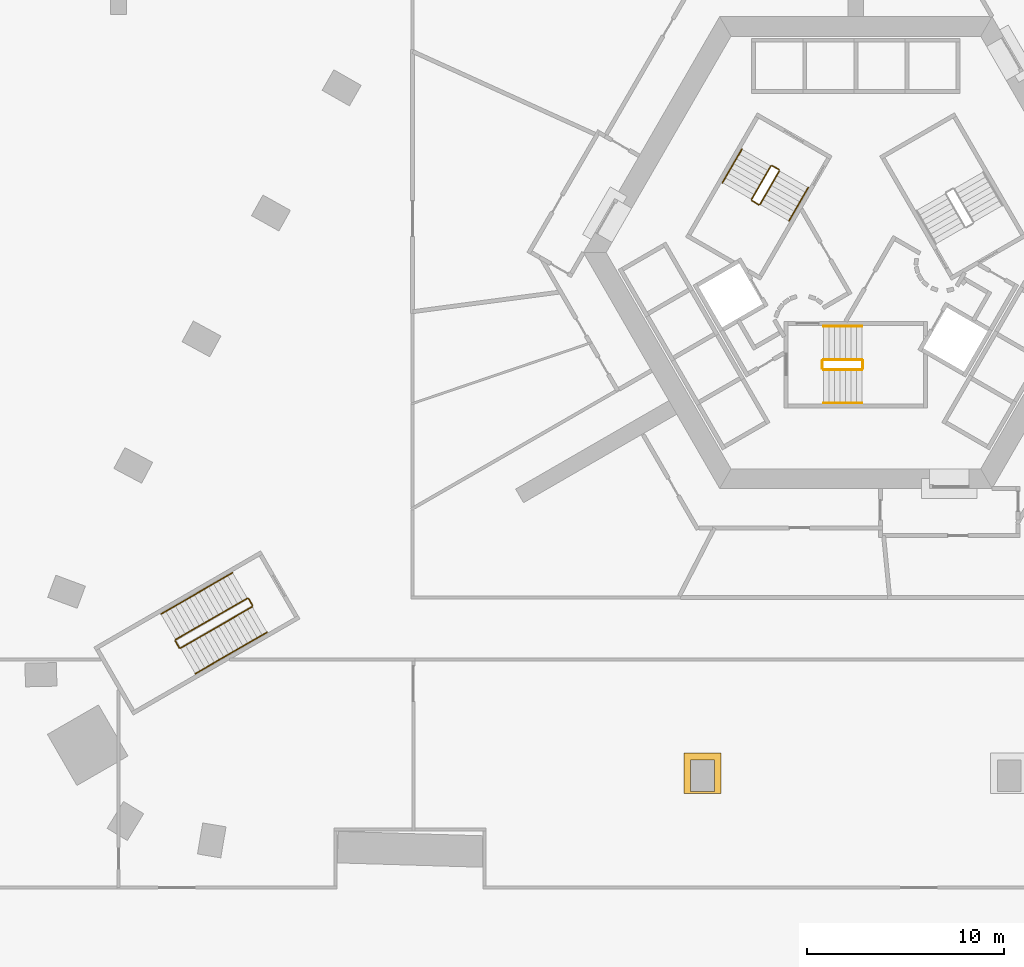
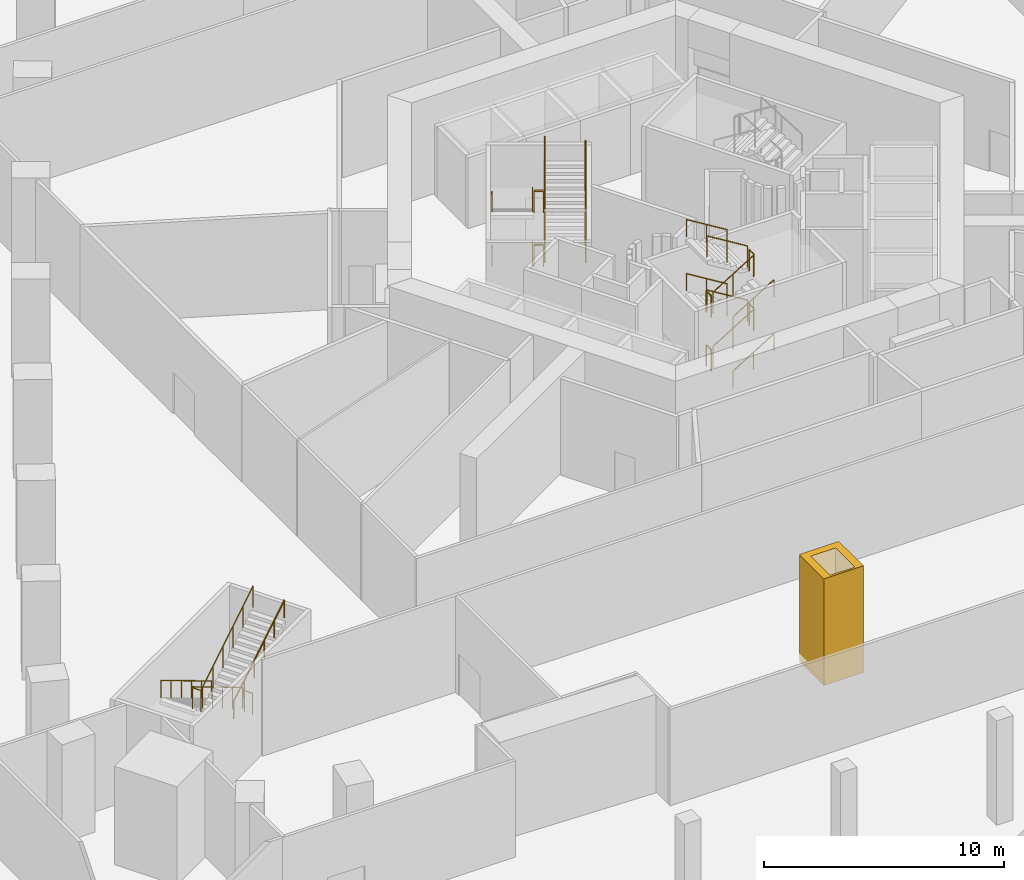
# One storey, part 17 of 20: 30 railings, 1 covering.
"""IFC4 building model written with IfcOpenShell, lengths in metres."""

from ifc_helpers import new_model, si_unit, direction, frame, origin, origin_2d, place, context, subcontext, project, spatial, polyline, circle, outline, extrude, material, type_object, element, save


model = new_model("IFC4")

# Units and contexts
model_context = context("Model", 3, precision=1e-05, world=origin(), true_north=direction((0.0, 1.0)))
body_context = subcontext(model_context, "Body", "Model", "MODEL_VIEW")
ifc_project = project(units=[si_unit("LENGTHUNIT", "METRE"), si_unit("AREAUNIT", "SQUARE_METRE"), si_unit("VOLUMEUNIT", "CUBIC_METRE"), si_unit("PLANEANGLEUNIT", "RADIAN"), si_unit("MASSUNIT", "GRAM", prefix="KILO")], contexts=[model_context])

# Site, building, storey
site_placement = place(None, origin())
site = spatial("IfcSite", under=ifc_project, at=site_placement, CompositionType="ELEMENT")
building_placement = place(site_placement, origin())
building = spatial("IfcBuilding", under=site, at=building_placement, Name="Entoto Arch Interchange Tower", CompositionType="ELEMENT")
storey_placement = place(building_placement, frame((0.0, 0.0, -5.5)))
storey = spatial("IfcBuildingStorey", under=building, at=storey_placement, Name="B1", CompositionType="ELEMENT", Elevation=-5.5)

# Covering
ifc_material_1 = material(Name="Board-marked precast concrete C50/60", Category="concrete")
covering_type = type_object("IfcCoveringType", Name="PRECAST FRAME COURSE", PredefinedType="CLADDING", material=ifc_material_1)
covering_placement = place(storey_placement, frame((0.0, 0.0, -0.419921875)))
element("IfcCovering", 1, at=covering_placement, inside=storey, type_object=covering_type, Name="Gate pier B1", PredefinedType="CLADDING", context=body_context, shape_type="SweptSolid", body=[
    extrude(outline(polyline([(-8.75, -22.949951171875), (-6.85009765625, -22.949951171875), (-6.85009765625, -24.9990234375), (-8.75, -24.9990234375), (-8.75, -22.949951171875)]), holes=[polyline([(-8.39990234375, -23.300048828125), (-8.39990234375, -24.89990234375), (-7.199951171875, -24.89990234375), (-7.199951171875, -23.300048828125), (-8.39990234375, -23.300048828125)])]), origin(), (0.0, 0.0, 1.0), 5.419921875),
])

# Railings
ifc_material_2 = material(Name="Stainless steel 1.4301", Category="steel")
railing_type_1 = type_object("IfcRailingType", Name="STAIR GUARD 1100 STEEL", PredefinedType="GUARDRAIL", material=ifc_material_2)
railing_1_placement = place(storey_placement, frame((-1.64990234375, -3.449951171875, 0.171875)))
element("IfcRailing", 2, at=railing_1_placement, inside=storey, type_object=railing_type_1, Name="B1 ST-S stair guard 1", PredefinedType="GUARDRAIL", context=body_context, shape_type="SweptSolid", body=[
    extrude(circle(Radius=0.02392578125, at=origin_2d()), frame((0.0, 0.0, 1.076171875), z_axis=(0.852240978134, 0.0, 0.523149419562), x_axis=(0.0, 1.0, 0.0)), (0.0, 0.0, 1.0), 2.2998046875),
    extrude(circle(Radius=0.02099609375, at=origin_2d()), origin(), (0.0, 0.0, 1.0), 1.052001953125),
    extrude(circle(Radius=0.02099609375, at=origin_2d()), frame((0.97998046875, 0.0, 0.6015625)), (0.0, 0.0, 1.0), 1.052001953125),
    extrude(circle(Radius=0.02099609375, at=origin_2d()), frame((1.9599609375, 0.0, 1.203125)), (0.0, 0.0, 1.0), 1.052001953125),
])
railing_2_placement = place(storey_placement, frame((0.360107421875, -3.39990234375, 1.375)))
element("IfcRailing", 3, at=railing_2_placement, inside=storey, type_object=railing_type_1, Name="B1 ST-S stair guard 2", PredefinedType="GUARDRAIL", context=body_context, shape_type="SweptSolid", body=[
    extrude(circle(Radius=0.02392578125, at=origin_2d()), frame((0.0, 0.0, 1.076171875), z_axis=(0.0, 1.0, 0.0), x_axis=(-1.0, 0.0, 0.0)), (0.0, 0.0, 1.0), 0.39990234375),
    extrude(circle(Radius=0.02099609375, at=origin_2d()), origin(), (0.0, 0.0, 1.0), 1.052001953125),
    extrude(circle(Radius=0.02099609375, at=origin_2d()), frame((0.0, 0.39990234375, 0.0)), (0.0, 0.0, 1.0), 1.052001953125),
])
railing_3_placement = place(storey_placement, frame((0.31005859375, -2.949951171875, 1.546875)))
element("IfcRailing", 4, at=railing_3_placement, inside=storey, type_object=railing_type_1, Name="B1 ST-S stair guard 3", PredefinedType="GUARDRAIL", context=body_context, shape_type="SweptSolid", body=[
    extrude(circle(Radius=0.02392578125, at=origin_2d()), frame((0.0, 0.0, 1.076171875), z_axis=(-0.852240978134, 0.0, 0.523149419562), x_axis=(0.0, -1.0, 0.0)), (0.0, 0.0, 1.0), 2.2998046875),
    extrude(circle(Radius=0.02099609375, at=origin_2d()), origin(), (0.0, 0.0, 1.0), 1.052001953125),
    extrude(circle(Radius=0.02099609375, at=origin_2d()), frame((-0.97998046875, 0.0, 0.6015625)), (0.0, 0.0, 1.0), 1.052001953125),
    extrude(circle(Radius=0.02099609375, at=origin_2d()), frame((-1.9599609375, 0.0, 1.203125)), (0.0, 0.0, 1.0), 1.052001953125),
])
railing_4_placement = place(storey_placement, frame((-1.699951171875, -3.39990234375, 2.75)))
element("IfcRailing", 5, at=railing_4_placement, inside=storey, type_object=railing_type_1, Name="B1 ST-S stair guard 4", PredefinedType="GUARDRAIL", context=body_context, shape_type="SweptSolid", body=[
    extrude(circle(Radius=0.02392578125, at=origin_2d()), frame((0.0, 0.0, 1.076171875), z_axis=(0.0, 1.0, 0.0), x_axis=(-1.0, 0.0, 0.0)), (0.0, 0.0, 1.0), 0.39990234375),
    extrude(circle(Radius=0.02099609375, at=origin_2d()), origin(), (0.0, 0.0, 1.0), 1.052001953125),
    extrude(circle(Radius=0.02099609375, at=origin_2d()), frame((0.0, 0.39990234375, 0.0)), (0.0, 0.0, 1.0), 1.052001953125),
])
railing_5_placement = place(storey_placement, frame((-1.64990234375, -3.449951171875, 2.921875)))
element("IfcRailing", 6, at=railing_5_placement, inside=storey, type_object=railing_type_1, Name="B1 ST-S stair guard 5", PredefinedType="GUARDRAIL", context=body_context, shape_type="SweptSolid", body=[
    extrude(circle(Radius=0.02392578125, at=origin_2d()), frame((0.0, 0.0, 1.076171875), z_axis=(0.852240978134, 0.0, 0.523149419562), x_axis=(0.0, 1.0, 0.0)), (0.0, 0.0, 1.0), 2.2998046875),
    extrude(circle(Radius=0.02099609375, at=origin_2d()), origin(), (0.0, 0.0, 1.0), 1.052001953125),
    extrude(circle(Radius=0.02099609375, at=origin_2d()), frame((0.97998046875, 0.0, 0.6015625)), (0.0, 0.0, 1.0), 1.052001953125),
    extrude(circle(Radius=0.02099609375, at=origin_2d()), frame((1.9599609375, 0.0, 1.203125)), (0.0, 0.0, 1.0), 1.052001953125),
])
railing_6_placement = place(storey_placement, frame((0.360107421875, -3.39990234375, 4.125)))
element("IfcRailing", 7, at=railing_6_placement, inside=storey, type_object=railing_type_1, Name="B1 ST-S stair guard 6", PredefinedType="GUARDRAIL", context=body_context, shape_type="SweptSolid", body=[
    extrude(circle(Radius=0.02392578125, at=origin_2d()), frame((0.0, 0.0, 1.076171875), z_axis=(0.0, 1.0, 0.0), x_axis=(-1.0, 0.0, 0.0)), (0.0, 0.0, 1.0), 0.39990234375),
    extrude(circle(Radius=0.02099609375, at=origin_2d()), origin(), (0.0, 0.0, 1.0), 1.052001953125),
    extrude(circle(Radius=0.02099609375, at=origin_2d()), frame((0.0, 0.39990234375, 0.0)), (0.0, 0.0, 1.0), 1.052001953125),
])
railing_7_placement = place(storey_placement, frame((0.31005859375, -2.949951171875, 4.296875)))
element("IfcRailing", 8, at=railing_7_placement, inside=storey, type_object=railing_type_1, Name="B1 ST-S stair guard 7", PredefinedType="GUARDRAIL", context=body_context, shape_type="SweptSolid", body=[
    extrude(circle(Radius=0.02392578125, at=origin_2d()), frame((0.0, 0.0, 1.076171875), z_axis=(-0.852240978134, 0.0, 0.523149419562), x_axis=(0.0, -1.0, 0.0)), (0.0, 0.0, 1.0), 2.2998046875),
    extrude(circle(Radius=0.02099609375, at=origin_2d()), origin(), (0.0, 0.0, 1.0), 1.052001953125),
    extrude(circle(Radius=0.02099609375, at=origin_2d()), frame((-0.97998046875, 0.0, 0.6015625)), (0.0, 0.0, 1.0), 1.052001953125),
    extrude(circle(Radius=0.02099609375, at=origin_2d()), frame((-1.9599609375, 0.0, 1.203125)), (0.0, 0.0, 1.0), 1.052001953125),
])
railing_8_placement = place(storey_placement, frame((-1.699951171875, -3.39990234375, 0.0)))
element("IfcRailing", 9, at=railing_8_placement, inside=storey, type_object=railing_type_1, Name="B1 ST-S stair guard 8", PredefinedType="GUARDRAIL", context=body_context, shape_type="SweptSolid", body=[
    extrude(circle(Radius=0.02392578125, at=origin_2d()), frame((0.0, 0.0, 1.076171875), z_axis=(0.0, 1.0, 0.0), x_axis=(-1.0, 0.0, 0.0)), (0.0, 0.0, 1.0), 0.39990234375),
    extrude(circle(Radius=0.02099609375, at=origin_2d()), origin(), (0.0, 0.0, 1.0), 1.052001953125),
    extrude(circle(Radius=0.02099609375, at=origin_2d()), frame((0.0, 0.39990234375, 0.0)), (0.0, 0.0, 1.0), 1.052001953125),
])
railing_9_placement = place(storey_placement, frame((-4.327880859375, 6.904052734375, 0.171875)))
element("IfcRailing", 10, at=railing_9_placement, inside=storey, type_object=railing_type_1, Name="B1 ST-NW stair guard 1", PredefinedType="GUARDRAIL", context=body_context, shape_type="SweptSolid", body=[
    extrude(circle(Radius=0.02392578125, at=origin_2d()), frame((0.0, 0.0, 1.076171875), z_axis=(-0.426102191367, -0.738088823262, 0.52312695542), x_axis=(0.866042469362, -0.499970440388, 0.0)), (0.0, 0.0, 1.0), 2.2998046875),
    extrude(circle(Radius=0.02099609375, at=origin_2d()), origin(), (0.0, 0.0, 1.0), 1.052001953125),
    extrude(circle(Radius=0.02099609375, at=origin_2d()), frame((-0.489990234375, -0.8486328125, 0.6015625)), (0.0, 0.0, 1.0), 1.052001953125),
    extrude(circle(Radius=0.02099609375, at=origin_2d()), frame((-0.97998046875, -1.697509765625, 1.203125)), (0.0, 0.0, 1.0), 1.052001953125),
])
railing_10_placement = place(storey_placement, frame((-5.28955078125, 5.13818359375, 1.375)))
element("IfcRailing", 11, at=railing_10_placement, inside=storey, type_object=railing_type_1, Name="B1 ST-NW stair guard 2", PredefinedType="GUARDRAIL", context=body_context, shape_type="SweptSolid", body=[
    extrude(circle(Radius=0.02392578125, at=origin_2d()), frame((0.0, 0.0, 1.076171875), z_axis=(0.866094119867, -0.499880961361, 0.0), x_axis=(0.499880961361, 0.866094119867, 0.0)), (0.0, 0.0, 1.0), 0.39990234375),
    extrude(circle(Radius=0.02099609375, at=origin_2d()), origin(), (0.0, 0.0, 1.0), 1.052001953125),
    extrude(circle(Radius=0.02099609375, at=origin_2d()), frame((0.346435546875, -0.199951171875, 0.0)), (0.0, 0.0, 1.0), 1.052001953125),
])
railing_11_placement = place(storey_placement, frame((-4.874755859375, 4.95654296875, 1.546875)))
element("IfcRailing", 12, at=railing_11_placement, inside=storey, type_object=railing_type_1, Name="B1 ST-NW stair guard 3", PredefinedType="GUARDRAIL", context=body_context, shape_type="SweptSolid", body=[
    extrude(circle(Radius=0.02392578125, at=origin_2d()), frame((0.0, 0.0, 1.076171875), z_axis=(0.426102191367, 0.738088823262, 0.52312695542), x_axis=(-0.866042469362, 0.499970440388, 0.0)), (0.0, 0.0, 1.0), 2.2998046875),
    extrude(circle(Radius=0.02099609375, at=origin_2d()), origin(), (0.0, 0.0, 1.0), 1.052001953125),
    extrude(circle(Radius=0.02099609375, at=origin_2d()), frame((0.489990234375, 0.8486328125, 0.6015625)), (0.0, 0.0, 1.0), 1.052001953125),
    extrude(circle(Radius=0.02099609375, at=origin_2d()), frame((0.97998046875, 1.697509765625, 1.203125)), (0.0, 0.0, 1.0), 1.052001953125),
])
railing_12_placement = place(storey_placement, frame((-4.259521484375, 6.92236328125, 2.75)))
element("IfcRailing", 13, at=railing_12_placement, inside=storey, type_object=railing_type_1, Name="B1 ST-NW stair guard 4", PredefinedType="GUARDRAIL", context=body_context, shape_type="SweptSolid", body=[
    extrude(circle(Radius=0.02392578125, at=origin_2d()), frame((0.0, 0.0, 1.076171875), z_axis=(0.865829829939, -0.500338590944, 0.0), x_axis=(0.500338590944, 0.865829829939, 0.0)), (0.0, 0.0, 1.0), 0.400146484375),
    extrude(circle(Radius=0.02099609375, at=origin_2d()), origin(), (0.0, 0.0, 1.0), 1.052001953125),
    extrude(circle(Radius=0.02099609375, at=origin_2d()), frame((0.346435546875, -0.2001953125, 0.0)), (0.0, 0.0, 1.0), 1.052001953125),
])
railing_13_placement = place(storey_placement, frame((-4.327880859375, 6.904052734375, 2.921875)))
element("IfcRailing", 14, at=railing_13_placement, inside=storey, type_object=railing_type_1, Name="B1 ST-NW stair guard 5", PredefinedType="GUARDRAIL", context=body_context, shape_type="SweptSolid", body=[
    extrude(circle(Radius=0.02392578125, at=origin_2d()), frame((0.0, 0.0, 1.076171875), z_axis=(-0.426102191367, -0.738088823262, 0.52312695542), x_axis=(0.866042469362, -0.499970440388, 0.0)), (0.0, 0.0, 1.0), 2.2998046875),
    extrude(circle(Radius=0.02099609375, at=origin_2d()), origin(), (0.0, 0.0, 1.0), 1.052001953125),
    extrude(circle(Radius=0.02099609375, at=origin_2d()), frame((-0.489990234375, -0.8486328125, 0.6015625)), (0.0, 0.0, 1.0), 1.052001953125),
    extrude(circle(Radius=0.02099609375, at=origin_2d()), frame((-0.97998046875, -1.697509765625, 1.203125)), (0.0, 0.0, 1.0), 1.052001953125),
])
railing_14_placement = place(storey_placement, frame((-5.28955078125, 5.13818359375, 4.125)))
element("IfcRailing", 15, at=railing_14_placement, inside=storey, type_object=railing_type_1, Name="B1 ST-NW stair guard 6", PredefinedType="GUARDRAIL", context=body_context, shape_type="SweptSolid", body=[
    extrude(circle(Radius=0.02392578125, at=origin_2d()), frame((0.0, 0.0, 1.076171875), z_axis=(0.866094119867, -0.499880961361, 0.0), x_axis=(0.499880961361, 0.866094119867, 0.0)), (0.0, 0.0, 1.0), 0.39990234375),
    extrude(circle(Radius=0.02099609375, at=origin_2d()), origin(), (0.0, 0.0, 1.0), 1.052001953125),
    extrude(circle(Radius=0.02099609375, at=origin_2d()), frame((0.346435546875, -0.199951171875, 0.0)), (0.0, 0.0, 1.0), 1.052001953125),
])
railing_15_placement = place(storey_placement, frame((-4.874755859375, 4.95654296875, 4.296875)))
element("IfcRailing", 16, at=railing_15_placement, inside=storey, type_object=railing_type_1, Name="B1 ST-NW stair guard 7", PredefinedType="GUARDRAIL", context=body_context, shape_type="SweptSolid", body=[
    extrude(circle(Radius=0.02392578125, at=origin_2d()), frame((0.0, 0.0, 1.076171875), z_axis=(0.426102191367, 0.738088823262, 0.52312695542), x_axis=(-0.866042469362, 0.499970440388, 0.0)), (0.0, 0.0, 1.0), 2.2998046875),
    extrude(circle(Radius=0.02099609375, at=origin_2d()), origin(), (0.0, 0.0, 1.0), 1.052001953125),
    extrude(circle(Radius=0.02099609375, at=origin_2d()), frame((0.489990234375, 0.8486328125, 0.6015625)), (0.0, 0.0, 1.0), 1.052001953125),
    extrude(circle(Radius=0.02099609375, at=origin_2d()), frame((0.97998046875, 1.697509765625, 1.203125)), (0.0, 0.0, 1.0), 1.052001953125),
])
railing_16_placement = place(storey_placement, frame((-4.259521484375, 6.92236328125, 0.0)))
element("IfcRailing", 17, at=railing_16_placement, inside=storey, type_object=railing_type_1, Name="B1 ST-NW stair guard 8", PredefinedType="GUARDRAIL", context=body_context, shape_type="SweptSolid", body=[
    extrude(circle(Radius=0.02392578125, at=origin_2d()), frame((0.0, 0.0, 1.076171875), z_axis=(0.865829829939, -0.500338590944, 0.0), x_axis=(0.500338590944, 0.865829829939, 0.0)), (0.0, 0.0, 1.0), 0.400146484375),
    extrude(circle(Radius=0.02099609375, at=origin_2d()), origin(), (0.0, 0.0, 1.0), 1.052001953125),
    extrude(circle(Radius=0.02099609375, at=origin_2d()), frame((0.346435546875, -0.2001953125, 0.0)), (0.0, 0.0, 1.0), 1.052001953125),
])
railing_17_placement = place(storey_placement, frame((-30.95556640625, -15.08349609375, 0.171875)))
element("IfcRailing", 18, at=railing_17_placement, inside=storey, type_object=railing_type_1, Name="B1 PST-SW stair guard 1", PredefinedType="GUARDRAIL", context=body_context, shape_type="SweptSolid", body=[
    extrude(circle(Radius=0.02392578125, at=origin_2d()), frame((0.0, 0.0, 1.076171875), z_axis=(-0.738050923409, -0.42614539154, 0.523145237696), x_axis=(0.500027713859, -0.866009402589, 0.0)), (0.0, 0.0, 1.0), 4.92822265625),
    extrude(circle(Radius=0.02099609375, at=origin_2d()), origin(), (0.0, 0.0, 1.0), 1.052001953125),
    extrude(circle(Radius=0.02099609375, at=origin_2d()), frame((-0.7275390625, -0.419921875, 0.515625)), (0.0, 0.0, 1.0), 1.052001953125),
    extrude(circle(Radius=0.02099609375, at=origin_2d()), frame((-1.454833984375, -0.840087890625, 1.03125)), (0.0, 0.0, 1.0), 1.052001953125),
    extrude(circle(Radius=0.02099609375, at=origin_2d()), frame((-2.182373046875, -1.260009765625, 1.546875)), (0.0, 0.0, 1.0), 1.052001953125),
    extrude(circle(Radius=0.02099609375, at=origin_2d()), frame((-2.90966796875, -1.68017578125, 2.0625)), (0.0, 0.0, 1.0), 1.052001953125),
    extrude(circle(Radius=0.02099609375, at=origin_2d()), frame((-3.63720703125, -2.10009765625, 2.578125)), (0.0, 0.0, 1.0), 1.052001953125),
])
railing_18_placement = place(storey_placement, frame((-34.611083984375, -17.251953125, 2.75)))
element("IfcRailing", 19, at=railing_18_placement, inside=storey, type_object=railing_type_1, Name="B1 PST-SW stair guard 2", PredefinedType="GUARDRAIL", context=body_context, shape_type="SweptSolid", body=[
    extrude(circle(Radius=0.02392578125, at=origin_2d()), frame((0.0, 0.0, 1.076171875), z_axis=(0.500145327446, -0.865941482684, 0.0), x_axis=(0.865941482684, 0.500145327446, 0.0)), (0.0, 0.0, 1.0), 0.39990234375),
    extrude(circle(Radius=0.02099609375, at=origin_2d()), origin(), (0.0, 0.0, 1.0), 1.052001953125),
    extrude(circle(Radius=0.02099609375, at=origin_2d()), frame((0.199951171875, -0.34619140625, 0.0)), (0.0, 0.0, 1.0), 1.052001953125),
])
railing_19_placement = place(storey_placement, frame((-34.3427734375, -17.616455078125, 2.921875)))
element("IfcRailing", 20, at=railing_19_placement, inside=storey, type_object=railing_type_1, Name="B1 PST-SW stair guard 3", PredefinedType="GUARDRAIL", context=body_context, shape_type="SweptSolid", body=[
    extrude(circle(Radius=0.02392578125, at=origin_2d()), frame((0.0, 0.0, 1.076171875), z_axis=(0.738066504253, 0.426104846495, 0.52315628171), x_axis=(-0.49998411664, 0.866034573852, 0.0)), (0.0, 0.0, 1.0), 4.927978515625),
    extrude(circle(Radius=0.02099609375, at=origin_2d()), origin(), (0.0, 0.0, 1.0), 1.052001953125),
    extrude(circle(Radius=0.02099609375, at=origin_2d()), frame((0.7275390625, 0.419921875, 0.515625)), (0.0, 0.0, 1.0), 1.052001953125),
    extrude(circle(Radius=0.02099609375, at=origin_2d()), frame((1.454833984375, 0.83984375, 1.03125)), (0.0, 0.0, 1.0), 1.052001953125),
    extrude(circle(Radius=0.02099609375, at=origin_2d()), frame((2.182373046875, 1.260009765625, 1.546875)), (0.0, 0.0, 1.0), 1.052001953125),
    extrude(circle(Radius=0.02099609375, at=origin_2d()), frame((2.90966796875, 1.679931640625, 2.0625)), (0.0, 0.0, 1.0), 1.052001953125),
    extrude(circle(Radius=0.02099609375, at=origin_2d()), frame((3.63720703125, 2.099853515625, 2.578125)), (0.0, 0.0, 1.0), 1.052001953125),
])
railing_20_placement = place(storey_placement, frame((-30.88720703125, -15.101806640625, 0.0)))
element("IfcRailing", 21, at=railing_20_placement, inside=storey, type_object=railing_type_1, Name="B1 PST-SW stair guard 4", PredefinedType="GUARDRAIL", context=body_context, shape_type="SweptSolid", body=[
    extrude(circle(Radius=0.02392578125, at=origin_2d()), frame((0.0, 0.0, 1.076171875), z_axis=(0.499880961361, -0.866094119867, 0.0), x_axis=(0.866094119867, 0.499880961361, 0.0)), (0.0, 0.0, 1.0), 0.39990234375),
    extrude(circle(Radius=0.02099609375, at=origin_2d()), origin(), (0.0, 0.0, 1.0), 1.052001953125),
    extrude(circle(Radius=0.02099609375, at=origin_2d()), frame((0.199951171875, -0.346435546875, 0.0)), (0.0, 0.0, 1.0), 1.052001953125),
])
railing_type_2 = type_object("IfcRailingType", Name="STAIR HANDRAIL 900 STEEL", PredefinedType="HANDRAIL", material=ifc_material_2)
railing_21_placement = place(storey_placement, frame((-1.64990234375, -5.14990234375, 0.171875)))
element("IfcRailing", 22, at=railing_21_placement, inside=storey, type_object=railing_type_2, Name="B1 ST-S stair handrail 1", PredefinedType="HANDRAIL", context=body_context, shape_type="SweptSolid", body=[
    extrude(circle(Radius=0.02392578125, at=origin_2d()), frame((0.0, 0.0, 0.8759765625), z_axis=(0.852240978134, 0.0, 0.523149419562), x_axis=(0.0, 1.0, 0.0)), (0.0, 0.0, 1.0), 2.2998046875),
    extrude(circle(Radius=0.02099609375, at=origin_2d()), origin(), (0.0, 0.0, 1.0), 0.851806640625),
    extrude(circle(Radius=0.02099609375, at=origin_2d()), frame((0.97998046875, 0.0, 0.6015625)), (0.0, 0.0, 1.0), 0.851806640625),
    extrude(circle(Radius=0.02099609375, at=origin_2d()), frame((1.9599609375, 0.0, 1.203125)), (0.0, 0.0, 1.0), 0.851806640625),
])
railing_22_placement = place(storey_placement, frame((0.31005859375, -1.25, 1.546875)))
element("IfcRailing", 23, at=railing_22_placement, inside=storey, type_object=railing_type_2, Name="B1 ST-S stair handrail 2", PredefinedType="HANDRAIL", context=body_context, shape_type="SweptSolid", body=[
    extrude(circle(Radius=0.02392578125, at=origin_2d()), frame((0.0, 0.0, 0.8759765625), z_axis=(-0.852240978134, 0.0, 0.523149419562), x_axis=(0.0, -1.0, 0.0)), (0.0, 0.0, 1.0), 2.2998046875),
    extrude(circle(Radius=0.02099609375, at=origin_2d()), origin(), (0.0, 0.0, 1.0), 0.851806640625),
    extrude(circle(Radius=0.02099609375, at=origin_2d()), frame((-0.97998046875, 0.0, 0.6015625)), (0.0, 0.0, 1.0), 0.851806640625),
    extrude(circle(Radius=0.02099609375, at=origin_2d()), frame((-1.9599609375, 0.0, 1.203125)), (0.0, 0.0, 1.0), 0.851806640625),
])
railing_23_placement = place(storey_placement, frame((-1.64990234375, -5.14990234375, 2.921875)))
element("IfcRailing", 24, at=railing_23_placement, inside=storey, type_object=railing_type_2, Name="B1 ST-S stair handrail 3", PredefinedType="HANDRAIL", context=body_context, shape_type="SweptSolid", body=[
    extrude(circle(Radius=0.02392578125, at=origin_2d()), frame((0.0, 0.0, 0.8759765625), z_axis=(0.852240978134, 0.0, 0.523149419562), x_axis=(0.0, 1.0, 0.0)), (0.0, 0.0, 1.0), 2.2998046875),
    extrude(circle(Radius=0.02099609375, at=origin_2d()), origin(), (0.0, 0.0, 1.0), 0.851806640625),
    extrude(circle(Radius=0.02099609375, at=origin_2d()), frame((0.97998046875, 0.0, 0.6015625)), (0.0, 0.0, 1.0), 0.851806640625),
    extrude(circle(Radius=0.02099609375, at=origin_2d()), frame((1.9599609375, 0.0, 1.203125)), (0.0, 0.0, 1.0), 0.851806640625),
])
railing_24_placement = place(storey_placement, frame((0.31005859375, -1.25, 4.296875)))
element("IfcRailing", 25, at=railing_24_placement, inside=storey, type_object=railing_type_2, Name="B1 ST-S stair handrail 4", PredefinedType="HANDRAIL", context=body_context, shape_type="SweptSolid", body=[
    extrude(circle(Radius=0.02392578125, at=origin_2d()), frame((0.0, 0.0, 0.8759765625), z_axis=(-0.852240978134, 0.0, 0.523149419562), x_axis=(0.0, -1.0, 0.0)), (0.0, 0.0, 1.0), 2.2998046875),
    extrude(circle(Radius=0.02099609375, at=origin_2d()), origin(), (0.0, 0.0, 1.0), 0.851806640625),
    extrude(circle(Radius=0.02099609375, at=origin_2d()), frame((-0.97998046875, 0.0, 0.6015625)), (0.0, 0.0, 1.0), 0.851806640625),
    extrude(circle(Radius=0.02099609375, at=origin_2d()), frame((-1.9599609375, 0.0, 1.203125)), (0.0, 0.0, 1.0), 0.851806640625),
])
railing_25_placement = place(storey_placement, frame((-5.800048828125, 7.75390625, 0.171875)))
element("IfcRailing", 26, at=railing_25_placement, inside=storey, type_object=railing_type_2, Name="B1 ST-NW stair handrail 1", PredefinedType="HANDRAIL", context=body_context, shape_type="SweptSolid", body=[
    extrude(circle(Radius=0.02392578125, at=origin_2d()), frame((0.0, 0.0, 0.8759765625), z_axis=(-0.42613557846, -0.738040493636, 0.523167944856), x_axis=(0.866011328839, -0.500024377727, 0.0)), (0.0, 0.0, 1.0), 2.2998046875),
    extrude(circle(Radius=0.02099609375, at=origin_2d()), origin(), (0.0, 0.0, 1.0), 0.851806640625),
    extrude(circle(Radius=0.02099609375, at=origin_2d()), frame((-0.489990234375, -0.8486328125, 0.6015625)), (0.0, 0.0, 1.0), 0.851806640625),
    extrude(circle(Radius=0.02099609375, at=origin_2d()), frame((-0.97998046875, -1.697265625, 1.203125)), (0.0, 0.0, 1.0), 0.851806640625),
])
railing_26_placement = place(storey_placement, frame((-3.402587890625, 4.1064453125, 1.546875)))
element("IfcRailing", 27, at=railing_26_placement, inside=storey, type_object=railing_type_2, Name="B1 ST-NW stair handrail 2", PredefinedType="HANDRAIL", context=body_context, shape_type="SweptSolid", body=[
    extrude(circle(Radius=0.02392578125, at=origin_2d()), frame((0.0, 0.0, 0.8759765625), z_axis=(0.426102191367, 0.738088823262, 0.52312695542), x_axis=(-0.866042469362, 0.499970440388, 0.0)), (0.0, 0.0, 1.0), 2.2998046875),
    extrude(circle(Radius=0.02099609375, at=origin_2d()), origin(), (0.0, 0.0, 1.0), 0.851806640625),
    extrude(circle(Radius=0.02099609375, at=origin_2d()), frame((0.489990234375, 0.8486328125, 0.6015625)), (0.0, 0.0, 1.0), 0.851806640625),
    extrude(circle(Radius=0.02099609375, at=origin_2d()), frame((0.97998046875, 1.697509765625, 1.203125)), (0.0, 0.0, 1.0), 0.851806640625),
])
railing_27_placement = place(storey_placement, frame((-5.800048828125, 7.75390625, 2.921875)))
element("IfcRailing", 28, at=railing_27_placement, inside=storey, type_object=railing_type_2, Name="B1 ST-NW stair handrail 3", PredefinedType="HANDRAIL", context=body_context, shape_type="SweptSolid", body=[
    extrude(circle(Radius=0.02392578125, at=origin_2d()), frame((0.0, 0.0, 0.8759765625), z_axis=(-0.42613557846, -0.738040493636, 0.523167944856), x_axis=(0.866011328839, -0.500024377727, 0.0)), (0.0, 0.0, 1.0), 2.2998046875),
    extrude(circle(Radius=0.02099609375, at=origin_2d()), origin(), (0.0, 0.0, 1.0), 0.851806640625),
    extrude(circle(Radius=0.02099609375, at=origin_2d()), frame((-0.489990234375, -0.8486328125, 0.6015625)), (0.0, 0.0, 1.0), 0.851806640625),
    extrude(circle(Radius=0.02099609375, at=origin_2d()), frame((-0.97998046875, -1.697265625, 1.203125)), (0.0, 0.0, 1.0), 0.851806640625),
])
railing_28_placement = place(storey_placement, frame((-3.402587890625, 4.1064453125, 4.296875)))
element("IfcRailing", 29, at=railing_28_placement, inside=storey, type_object=railing_type_2, Name="B1 ST-NW stair handrail 4", PredefinedType="HANDRAIL", context=body_context, shape_type="SweptSolid", body=[
    extrude(circle(Radius=0.02392578125, at=origin_2d()), frame((0.0, 0.0, 0.8759765625), z_axis=(0.426102191367, 0.738088823262, 0.52312695542), x_axis=(-0.866042469362, 0.499970440388, 0.0)), (0.0, 0.0, 1.0), 2.2998046875),
    extrude(circle(Radius=0.02099609375, at=origin_2d()), origin(), (0.0, 0.0, 1.0), 0.851806640625),
    extrude(circle(Radius=0.02099609375, at=origin_2d()), frame((0.489990234375, 0.8486328125, 0.6015625)), (0.0, 0.0, 1.0), 0.851806640625),
    extrude(circle(Radius=0.02099609375, at=origin_2d()), frame((0.97998046875, 1.697509765625, 1.203125)), (0.0, 0.0, 1.0), 0.851806640625),
])
railing_29_placement = place(storey_placement, frame((-31.70556640625, -13.784423828125, 0.171875)))
element("IfcRailing", 30, at=railing_29_placement, inside=storey, type_object=railing_type_2, Name="B1 PST-SW stair handrail 1", PredefinedType="HANDRAIL", context=body_context, shape_type="SweptSolid", body=[
    extrude(circle(Radius=0.02392578125, at=origin_2d()), frame((0.0, 0.0, 0.8759765625), z_axis=(-0.738050923409, -0.42614539154, 0.523145237696), x_axis=(0.500027713859, -0.866009402589, 0.0)), (0.0, 0.0, 1.0), 4.92822265625),
    extrude(circle(Radius=0.02099609375, at=origin_2d()), origin(), (0.0, 0.0, 1.0), 0.851806640625),
    extrude(circle(Radius=0.02099609375, at=origin_2d()), frame((-0.7275390625, -0.419921875, 0.515625)), (0.0, 0.0, 1.0), 0.851806640625),
    extrude(circle(Radius=0.02099609375, at=origin_2d()), frame((-1.454833984375, -0.840087890625, 1.03125)), (0.0, 0.0, 1.0), 0.851806640625),
    extrude(circle(Radius=0.02099609375, at=origin_2d()), frame((-2.182373046875, -1.260009765625, 1.546875)), (0.0, 0.0, 1.0), 0.851806640625),
    extrude(circle(Radius=0.02099609375, at=origin_2d()), frame((-2.90966796875, -1.68017578125, 2.0625)), (0.0, 0.0, 1.0), 0.851806640625),
    extrude(circle(Radius=0.02099609375, at=origin_2d()), frame((-3.63720703125, -2.10009765625, 2.578125)), (0.0, 0.0, 1.0), 0.851806640625),
])
railing_30_placement = place(storey_placement, frame((-33.5927734375, -18.91552734375, 2.921875)))
element("IfcRailing", 31, at=railing_30_placement, inside=storey, type_object=railing_type_2, Name="B1 PST-SW stair handrail 2", PredefinedType="HANDRAIL", context=body_context, shape_type="SweptSolid", body=[
    extrude(circle(Radius=0.02392578125, at=origin_2d()), frame((0.0, 0.0, 0.8759765625), z_axis=(0.738066504253, 0.426104846495, 0.52315628171), x_axis=(-0.49998411664, 0.866034573852, 0.0)), (0.0, 0.0, 1.0), 4.927978515625),
    extrude(circle(Radius=0.02099609375, at=origin_2d()), origin(), (0.0, 0.0, 1.0), 0.851806640625),
    extrude(circle(Radius=0.02099609375, at=origin_2d()), frame((0.7275390625, 0.419921875, 0.515625)), (0.0, 0.0, 1.0), 0.851806640625),
    extrude(circle(Radius=0.02099609375, at=origin_2d()), frame((1.454833984375, 0.83984375, 1.03125)), (0.0, 0.0, 1.0), 0.851806640625),
    extrude(circle(Radius=0.02099609375, at=origin_2d()), frame((2.182373046875, 1.260009765625, 1.546875)), (0.0, 0.0, 1.0), 0.851806640625),
    extrude(circle(Radius=0.02099609375, at=origin_2d()), frame((2.90966796875, 1.679931640625, 2.0625)), (0.0, 0.0, 1.0), 0.851806640625),
    extrude(circle(Radius=0.02099609375, at=origin_2d()), frame((3.63720703125, 2.099853515625, 2.578125)), (0.0, 0.0, 1.0), 0.851806640625),
])

save(model, "model.ifc")
